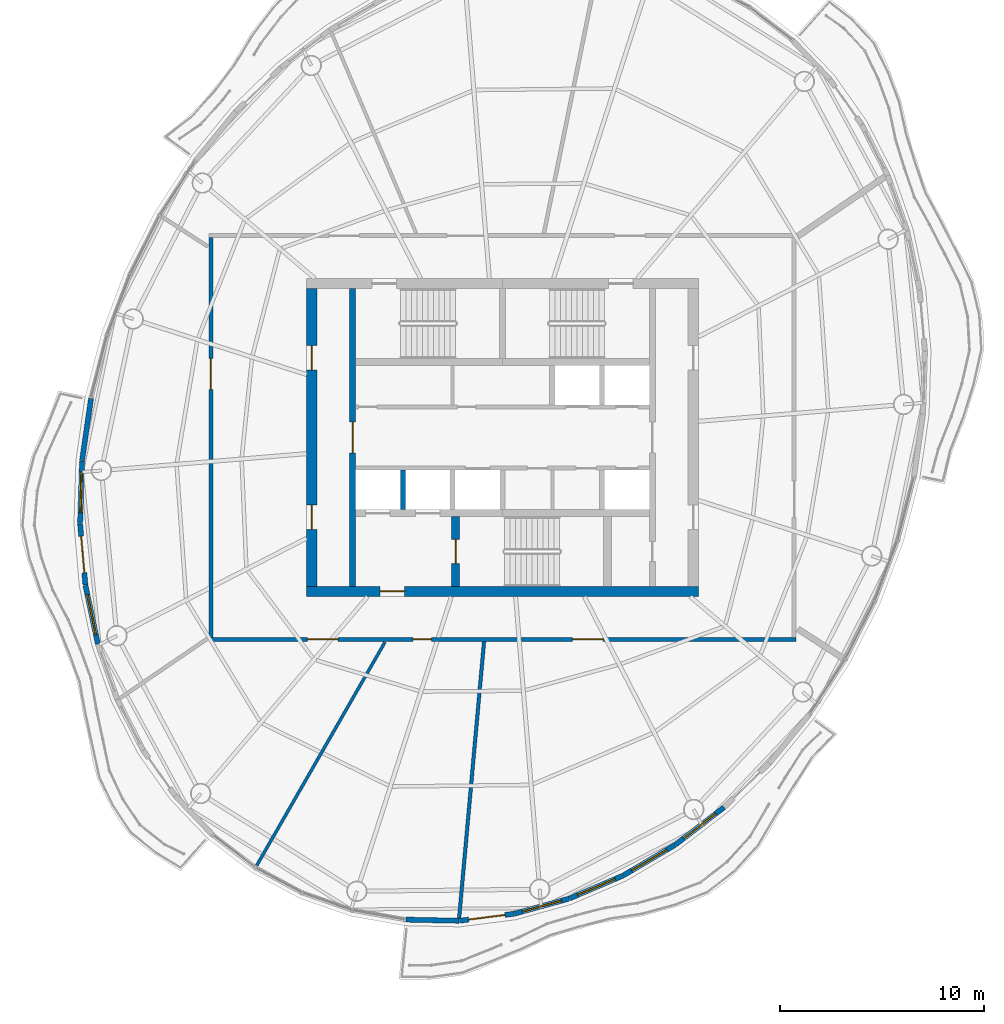
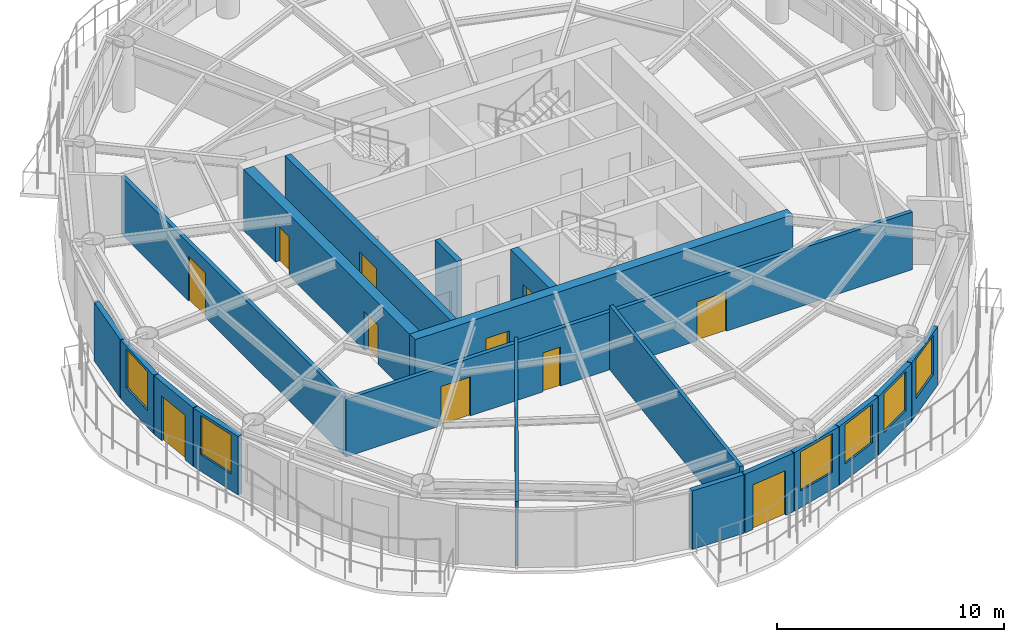
# One storey, part 7 of 13: 19 walls, 11 doors, 6 windows, 17 openings.
"""IFC4 building model written with IfcOpenShell, lengths in metres."""

from ifc_helpers import new_model, si_unit, direction, frame, frame_2d, origin, place, context, subcontext, project, spatial, rectangle, extrude, material, layer, layer_set, type_object, element, fill, save


model = new_model("IFC4")

# Units and contexts
model_context = context("Model", 3, precision=1e-05, world=origin(), true_north=direction((0.0, 1.0)))
body_context = subcontext(model_context, "Body", "Model", "MODEL_VIEW")
ifc_project = project(units=[si_unit("LENGTHUNIT", "METRE"), si_unit("AREAUNIT", "SQUARE_METRE"), si_unit("VOLUMEUNIT", "CUBIC_METRE"), si_unit("PLANEANGLEUNIT", "RADIAN"), si_unit("MASSUNIT", "GRAM", prefix="KILO")], contexts=[model_context])

# Site, building, storey
site_placement = place(None, origin())
site = spatial("IfcSite", under=ifc_project, at=site_placement, CompositionType="ELEMENT")
building_placement = place(site_placement, origin())
building = spatial("IfcBuilding", under=site, at=building_placement, Name="Vermilion Reach Broadcast Tower", CompositionType="ELEMENT")
storey_placement = place(building_placement, frame((0.0, 0.0, 297.300048828125)))
storey = spatial("IfcBuildingStorey", under=building, at=storey_placement, Name="L74", CompositionType="ELEMENT", Elevation=297.300048828125)

# Wall, opening, door
ifc_material_1 = material(Name="Concrete C50", Category="concrete")
ifc_layer_1 = layer(ifc_material_1, 0.300048828125)
ifc_layer_set_1 = layer_set([ifc_layer_1], Name="Core inner wall 300 mm Concrete C50")
wall_type_1 = type_object("IfcWallType", Name="Core inner wall 300 mm Concrete C50", PredefinedType="SHEAR", material=ifc_layer_set_1)
wall_1_placement = place(storey_placement, frame((-13.35009765625, 7.300048828125, 0.0), z_axis=(0.0, 0.0, 1.0), x_axis=(0.0, -1.0, 0.0)))
wall_1 = element("IfcWall", 1, at=wall_1_placement, inside=storey, type_object=wall_type_1, Name="L74 core wall ewW", PredefinedType="SHEAR", context=body_context, shape_type="SweptSolid", body=[
    extrude(rectangle(XDim=14.60009765625, YDim=0.300048828125, at=frame_2d((7.300048828125, 0.0))), origin(), (0.0, 0.0, 1.0), 3.300048828125),
])
opening_1_placement = place(wall_1_placement, frame((6.550048828125, 0.0, 0.0)))
opening_1 = element("IfcOpeningElement", 2, at=opening_1_placement, cuts=wall_1, Name="Opening D04", PredefinedType="OPENING", context=body_context, shape_type="SweptSolid", body=[
    extrude(rectangle(XDim=1.5, YDim=2.10009765625, at=frame_2d((0.75, 1.050048828125))), frame((0.0, 0.159912109375, 0.0), z_axis=(0.0, -1.0, 0.0), x_axis=(1.0, 0.0, 0.0)), (0.0, 0.0, 1.0), 0.320068359375),
])
ifc_material_2 = material(Name="Painted steel fire door", Category="steel")
door_type_1 = type_object("IfcDoorType", Name="Lift lobby door 1500 x 2100", OperationType="DOUBLE_DOOR_SINGLE_SWING", PredefinedType="NOTDEFINED", material=ifc_material_2)
door_1_placement = place(opening_1_placement, origin())
door_1 = element("IfcDoor", 3, at=door_1_placement, inside=storey, type_object=door_type_1, Name="L74 band door BW", OperationType="DOUBLE_DOOR_SINGLE_SWING", OverallHeight=2.10009765625, OverallWidth=1.5, PredefinedType="NOTDEFINED", context=body_context, shape_type="SweptSolid", body=[
    extrude(rectangle(XDim=1.5, YDim=2.10009765625, at=frame_2d((0.75, 1.050048828125))), frame((0.0, 0.02490234375, 0.0), z_axis=(0.0, -1.0, 0.0), x_axis=(1.0, 0.0, 0.0)), (0.0, 0.0, 1.0), 0.050048828125),
])
fill(opening_1, door_1)

ifc_material_3 = material(Name="Concrete C50", Category="concrete")
ifc_layer_2 = layer(ifc_material_3, 0.39990234375)
ifc_layer_set_2 = layer_set([ifc_layer_2], Name="Core inner wall 400 mm Concrete C50")
wall_type_2 = type_object("IfcWallType", Name="Core inner wall 400 mm Concrete C50", PredefinedType="SHEAR", material=ifc_layer_set_2)
wall_2_placement = place(storey_placement, frame((-8.300048828125, -3.8798828125, 0.0), z_axis=(0.0, 0.0, 1.0), x_axis=(0.0, -1.0, 0.0)))
wall_2 = element("IfcWall", 4, at=wall_2_placement, inside=storey, type_object=wall_type_2, Name="L74 core wall wa", PredefinedType="SHEAR", context=body_context, shape_type="SweptSolid", body=[
    extrude(rectangle(XDim=3.420166015625, YDim=0.39990234375, at=frame_2d((1.7099609375, 0.0))), origin(), (0.0, 0.0, 1.0), 3.300048828125),
])
opening_2_placement = place(wall_2_placement, frame((1.110107421875, 0.0, 0.0)))
opening_2 = element("IfcOpeningElement", 5, at=opening_2_placement, cuts=wall_2, Name="Opening D01", PredefinedType="OPENING", context=body_context, shape_type="SweptSolid", body=[
    extrude(rectangle(XDim=1.199951171875, YDim=2.10009765625, at=frame_2d((0.60009765625, 1.050048828125))), frame((0.0, 0.2099609375, 0.0), z_axis=(0.0, -1.0, 0.0), x_axis=(1.0, 0.0, 0.0)), (0.0, 0.0, 1.0), 0.419921875),
])
ifc_material_4 = material(Name="Painted steel fire door", Category="steel")
door_type_2 = type_object("IfcDoorType", Name="Stair door 1200 x 2100", OperationType="DOUBLE_DOOR_SINGLE_SWING", PredefinedType="NOTDEFINED", material=ifc_material_4)
door_2_placement = place(opening_2_placement, origin())
door_2 = element("IfcDoor", 6, at=door_2_placement, inside=storey, type_object=door_type_2, Name="L74 stair door ST3", OperationType="DOUBLE_DOOR_SINGLE_SWING", OverallHeight=2.10009765625, OverallWidth=1.199951171875, PredefinedType="NOTDEFINED", context=body_context, shape_type="SweptSolid", body=[
    extrude(rectangle(XDim=1.199951171875, YDim=2.10009765625, at=frame_2d((0.60009765625, 1.050048828125))), frame((0.0, 0.02490234375, 0.0), z_axis=(0.0, -1.0, 0.0), x_axis=(1.0, 0.0, 0.0)), (0.0, 0.0, 1.0), 0.050048828125),
])
fill(opening_2, door_2)

ifc_material_5 = material(Name="Concrete C50", Category="concrete")
ifc_layer_3 = layer(ifc_material_5, 0.5)
ifc_layer_set_3 = layer_set([ifc_layer_3], Name="Core outer wall 500 mm Concrete C50")
wall_type_3 = type_object("IfcWallType", Name="Core outer wall 500 mm Concrete C50", PredefinedType="SHEAR", material=ifc_layer_set_3)
wall_3_placement = place(storey_placement, frame((-15.60009765625, -7.550048828125, 0.0), z_axis=(0.0, 0.0, 1.0), x_axis=(1.0, 0.0, 0.0)))
wall_3 = element("IfcWall", 7, at=wall_3_placement, inside=storey, type_object=wall_type_3, Name="L74 core wall os", PredefinedType="SHEAR", context=body_context, shape_type="SweptSolid", body=[
    extrude(rectangle(XDim=19.2001953125, YDim=0.5, at=frame_2d((9.60009765625, 0.0))), origin(), (0.0, 0.0, 1.0), 3.300048828125),
])
opening_3_placement = place(wall_3_placement, frame((3.60009765625, 0.0, 0.0)))
opening_3 = element("IfcOpeningElement", 8, at=opening_3_placement, cuts=wall_3, Name="Opening D02", PredefinedType="OPENING", context=body_context, shape_type="SweptSolid", body=[
    extrude(rectangle(XDim=1.199951171875, YDim=2.10009765625, at=frame_2d((0.60009765625, 1.050048828125))), frame((0.0, 0.260009765625, 0.0), z_axis=(0.0, -1.0, 0.0), x_axis=(1.0, 0.0, 0.0)), (0.0, 0.0, 1.0), 0.52001953125),
])
ifc_material_6 = material(Name="Painted steel fire door", Category="steel")
door_type_3 = type_object("IfcDoorType", Name="Firefighting lobby door 1200 x 2100", OperationType="DOUBLE_DOOR_SINGLE_SWING", PredefinedType="NOTDEFINED", material=ifc_material_6)
door_3_placement = place(opening_3_placement, origin())
door_3 = element("IfcDoor", 9, at=door_3_placement, inside=storey, type_object=door_type_3, Name="L74 ffdoor door FFL", OperationType="DOUBLE_DOOR_SINGLE_SWING", OverallHeight=2.10009765625, OverallWidth=1.199951171875, PredefinedType="NOTDEFINED", context=body_context, shape_type="SweptSolid", body=[
    extrude(rectangle(XDim=1.199951171875, YDim=2.10009765625, at=frame_2d((0.60009765625, 1.050048828125))), frame((0.0, 0.02490234375, 0.0), z_axis=(0.0, -1.0, 0.0), x_axis=(1.0, 0.0, 0.0)), (0.0, 0.0, 1.0), 0.050048828125),
])
fill(opening_3, door_3)

# Wall, openings, doors
wall_4_placement = place(storey_placement, frame((-15.35009765625, 7.300048828125, 0.0), z_axis=(0.0, 0.0, 1.0), x_axis=(0.0, -1.0, 0.0)))
wall_4 = element("IfcWall", 10, at=wall_4_placement, inside=storey, type_object=wall_type_3, Name="L74 core wall ow", PredefinedType="SHEAR", context=body_context, shape_type="SweptSolid", body=[
    extrude(rectangle(XDim=14.60009765625, YDim=0.5, at=frame_2d((7.300048828125, 0.0))), origin(), (0.0, 0.0, 1.0), 3.300048828125),
])
opening_4_placement = place(wall_4_placement, frame((10.60009765625, 0.0, 0.0)))
opening_4 = element("IfcOpeningElement", 11, at=opening_4_placement, cuts=wall_4, Name="Opening D03", PredefinedType="OPENING", context=body_context, shape_type="SweptSolid", body=[
    extrude(rectangle(XDim=1.199951171875, YDim=2.10009765625, at=frame_2d((0.60009765625, 1.050048828125))), frame((0.0, 0.260009765625, 0.0), z_axis=(0.0, -1.0, 0.0), x_axis=(1.0, 0.0, 0.0)), (0.0, 0.0, 1.0), 0.52001953125),
])
opening_5_placement = place(wall_4_placement, frame((2.800048828125, 0.0, 0.0)))
opening_5 = element("IfcOpeningElement", 12, at=opening_5_placement, cuts=wall_4, Name="Opening D03", PredefinedType="OPENING", context=body_context, shape_type="SweptSolid", body=[
    extrude(rectangle(XDim=1.199951171875, YDim=2.10009765625, at=frame_2d((0.60009765625, 1.050048828125))), frame((0.0, 0.260009765625, 0.0), z_axis=(0.0, -1.0, 0.0), x_axis=(1.0, 0.0, 0.0)), (0.0, 0.0, 1.0), 0.52001953125),
])
ifc_material_7 = material(Name="Painted steel fire door", Category="steel")
door_type_4 = type_object("IfcDoorType", Name="Core lobby door 1200 x 2100", OperationType="DOUBLE_DOOR_SINGLE_SWING", PredefinedType="NOTDEFINED", material=ifc_material_7)
door_4_placement = place(opening_4_placement, origin())
door_4 = element("IfcDoor", 13, at=door_4_placement, inside=storey, type_object=door_type_4, Name="L74 slot door W0", OperationType="DOUBLE_DOOR_SINGLE_SWING", OverallHeight=2.10009765625, OverallWidth=1.199951171875, PredefinedType="NOTDEFINED", context=body_context, shape_type="SweptSolid", body=[
    extrude(rectangle(XDim=1.199951171875, YDim=2.10009765625, at=frame_2d((0.60009765625, 1.050048828125))), frame((0.0, 0.02490234375, 0.0), z_axis=(0.0, -1.0, 0.0), x_axis=(1.0, 0.0, 0.0)), (0.0, 0.0, 1.0), 0.050048828125),
])
fill(opening_4, door_4)
door_5_placement = place(opening_5_placement, origin())
door_5 = element("IfcDoor", 14, at=door_5_placement, inside=storey, type_object=door_type_4, Name="L74 slot door W1", OperationType="DOUBLE_DOOR_SINGLE_SWING", OverallHeight=2.10009765625, OverallWidth=1.199951171875, PredefinedType="NOTDEFINED", context=body_context, shape_type="SweptSolid", body=[
    extrude(rectangle(XDim=1.199951171875, YDim=2.10009765625, at=frame_2d((0.60009765625, 1.050048828125))), frame((0.0, 0.02490234375, 0.0), z_axis=(0.0, -1.0, 0.0), x_axis=(1.0, 0.0, 0.0)), (0.0, 0.0, 1.0), 0.050048828125),
])
fill(opening_5, door_5)

# Walls
ifc_material_8 = material(Name="Concrete C50", Category="concrete")
ifc_layer_4 = layer(ifc_material_8, 0.25)
ifc_layer_set_4 = layer_set([ifc_layer_4], Name="Core shaft wall 250 mm Concrete C50")
wall_type_4 = type_object("IfcWallType", Name="Core shaft wall 250 mm Concrete C50", PredefinedType="SHEAR", material=ifc_layer_set_4)
wall_5_placement = place(storey_placement, frame((-10.88330078125, -1.60009765625, 0.0), z_axis=(0.0, 0.0, 1.0), x_axis=(0.0, -1.0, 0.0)))
element("IfcWall", 15, at=wall_5_placement, inside=storey, type_object=wall_type_4, Name="L74 core wall psS0", PredefinedType="SHEAR", context=body_context, shape_type="SweptSolid", body=[
    extrude(rectangle(XDim=1.929931640625, YDim=0.25, at=frame_2d((0.96484375, 0.0))), origin(), (0.0, 0.0, 1.0), 3.300048828125),
])
ifc_material_9 = material(Name="Lightweight concrete block, plastered", Category="concrete")
ifc_layer_5 = layer(ifc_material_9, 0.14990234375)
ifc_layer_set_5 = layer_set([ifc_layer_5], Name="Partition 150 lightweight block")
wall_type_5 = type_object("IfcWallType", Name="Partition 150 lightweight block", PredefinedType="PARTITIONING", material=ifc_layer_set_5)
wall_6_placement = place(storey_placement, frame((-18.048095703125, -20.981689453125, 0.0), z_axis=(0.0, 0.0, 1.0), x_axis=(0.497960743115, 0.867199572369, 0.0)))
element("IfcWall", 16, at=wall_6_placement, inside=storey, type_object=wall_type_5, Name="Partition 74.05", PredefinedType="PARTITIONING", context=body_context, shape_type="SweptSolid", body=[
    extrude(rectangle(XDim=12.620361328125, YDim=0.14990234375, at=frame_2d((6.31005859375, 0.0))), origin(), (0.0, 0.0, 1.0), 3.449951171875),
])
ifc_material_10 = material(Name="Fire-rated block, plastered")
ifc_layer_6 = layer(ifc_material_10, 0.175048828125)
ifc_layer_set_6 = layer_set([ifc_layer_6], Name="Partition 175 fire-rated block")
wall_type_6 = type_object("IfcWallType", Name="Partition 175 fire-rated block", PredefinedType="PARTITIONING", material=ifc_layer_set_6)
wall_7_placement = place(storey_placement, frame((-8.126708984375, -23.570556640625, 0.0), z_axis=(0.0, 0.0, 1.0), x_axis=(0.08985519521, 0.995954840288, 0.0)))
element("IfcWall", 17, at=wall_7_placement, inside=storey, type_object=wall_type_6, Name="Partition 74.06", PredefinedType="PARTITIONING", context=body_context, shape_type="SweptSolid", body=[
    extrude(rectangle(XDim=13.617919921875, YDim=0.175048828125, at=frame_2d((6.80908203125, 0.0))), origin(), (0.0, 0.0, 1.0), 3.449951171875),
])
ifc_material_11 = material(Name="Terracotta rainscreen cladding", Category="masonry")
ifc_layer_7 = layer(ifc_material_11, 0.25)
ifc_layer_set_7 = layer_set([ifc_layer_7], Name="Terracotta rainscreen wall 250")
wall_type_7 = type_object("IfcWallType", Name="Terracotta rainscreen wall 250", PredefinedType="SOLIDWALL", material=ifc_layer_set_7)
wall_8_placement = place(storey_placement, frame((-26.17333984375, 1.91162109375, 0.0), z_axis=(0.0, 0.0, 1.0), x_axis=(-0.142921873415, -0.989733973399, 0.0)))
element("IfcWall", 18, at=wall_8_placement, inside=storey, type_object=wall_type_7, Name="External wall L74 14", PredefinedType="SOLIDWALL", context=body_context, shape_type="SweptSolid", body=[
    extrude(rectangle(XDim=3.07470703125, YDim=0.25, at=frame_2d((1.537353515625, 0.0))), origin(), (0.0, 0.0, 1.0), 3.14990234375),
])

# Wall, opening, window
wall_9_placement = place(storey_placement, frame((-26.614501953125, -1.153564453125, 0.0), z_axis=(0.0, 0.0, 1.0), x_axis=(-0.030643350627, -0.999530382261, 0.0)))
wall_9 = element("IfcWall", 19, at=wall_9_placement, inside=storey, type_object=wall_type_7, Name="External wall L74 15", PredefinedType="SOLIDWALL", context=body_context, shape_type="SweptSolid", body=[
    extrude(rectangle(XDim=3.0673828125, YDim=0.25, at=frame_2d((1.53369140625, 0.0))), origin(), (0.0, 0.0, 1.0), 3.14990234375),
])
opening_6_placement = place(wall_9_placement, frame((0.53369140625, 0.0, 0.89990234375)))
opening_6 = element("IfcOpeningElement", 20, at=opening_6_placement, cuts=wall_9, Name="Opening W03", PredefinedType="OPENING", context=body_context, shape_type="SweptSolid", body=[
    extrude(rectangle(XDim=2.0, YDim=2.10009765625, at=frame_2d((1.0, 1.050048828125))), frame((0.0, 0.135009765625, 0.0), z_axis=(0.0, -1.0, 0.0), x_axis=(1.0, 0.0, 0.0)), (0.0, 0.0, 1.0), 0.27001953125),
])
ifc_material_12 = material(Name="Low-e laminated clear glass in aluminium frame", Category="aluminium")
window_type = type_object("IfcWindowType", Name="Punched window 2000 x 2100 sill 900", PartitioningType="SINGLE_PANEL", PredefinedType="WINDOW", material=ifc_material_12)
window_1_placement = place(opening_6_placement, origin())
window_1 = element("IfcWindow", 21, at=window_1_placement, inside=storey, type_object=window_type, Name="Window L74 15", OverallHeight=2.10009765625, OverallWidth=2.0, PartitioningType="SINGLE_PANEL", PredefinedType="WINDOW", context=body_context, shape_type="SweptSolid", body=[
    extrude(rectangle(XDim=2.0, YDim=2.10009765625, at=frame_2d((1.0, 1.050048828125))), frame((0.0, 0.030029296875, 0.0), z_axis=(0.0, -1.0, 0.0), x_axis=(1.0, 0.0, 0.0)), (0.0, 0.0, 1.0), 0.06005859375),
])
fill(opening_6, window_1)

# Wall, opening, door
wall_10_placement = place(storey_placement, frame((-26.7080078125, -4.241943359375, 0.0), z_axis=(0.0, 0.0, 1.0), x_axis=(0.086187518859, -0.996278932625, 0.0)))
wall_10 = element("IfcWall", 22, at=wall_10_placement, inside=storey, type_object=wall_type_7, Name="External wall L74 16", PredefinedType="SOLIDWALL", context=body_context, shape_type="SweptSolid", body=[
    extrude(rectangle(XDim=3.002685546875, YDim=0.25, at=frame_2d((1.50146484375, 0.0))), origin(), (0.0, 0.0, 1.0), 3.14990234375),
])
opening_7_placement = place(wall_10_placement, frame((0.60107421875, 0.0, 0.0)))
opening_7 = element("IfcOpeningElement", 23, at=opening_7_placement, cuts=wall_10, Name="Opening D70", PredefinedType="OPENING", context=body_context, shape_type="SweptSolid", body=[
    extrude(rectangle(XDim=1.800048828125, YDim=2.39990234375, at=frame_2d((0.89990234375, 1.199951171875))), frame((0.0, 0.135009765625, 0.0), z_axis=(0.0, -1.0, 0.0), x_axis=(1.0, 0.0, 0.0)), (0.0, 0.0, 1.0), 0.27001953125),
])
ifc_material_13 = material(Name="Low-e laminated clear glass in aluminium frame", Category="aluminium")
door_type_5 = type_object("IfcDoorType", Name="Balcony sliding door 1800 x 2400", OperationType="DOUBLE_DOOR_SLIDING", PredefinedType="DOOR", material=ifc_material_13)
door_6_placement = place(opening_7_placement, origin())
door_6 = element("IfcDoor", 24, at=door_6_placement, inside=storey, type_object=door_type_5, Name="Balcony door L74 run 04", OperationType="DOUBLE_DOOR_SLIDING", OverallHeight=2.39990234375, OverallWidth=1.800048828125, PredefinedType="DOOR", context=body_context, shape_type="SweptSolid", body=[
    extrude(rectangle(XDim=1.800048828125, YDim=2.39990234375, at=frame_2d((0.89990234375, 1.199951171875))), frame((0.0, 0.02490234375, 0.0), z_axis=(0.0, -1.0, 0.0), x_axis=(1.0, 0.0, 0.0)), (0.0, 0.0, 1.0), 0.050048828125),
])
fill(opening_7, door_6)

# Wall, opening, window
wall_11_placement = place(storey_placement, frame((-26.44580078125, -7.25634765625, 0.0), z_axis=(0.0, 0.0, 1.0), x_axis=(0.206909487165, -0.978360089191, 0.0)))
wall_11 = element("IfcWall", 25, at=wall_11_placement, inside=storey, type_object=wall_type_7, Name="External wall L74 17", PredefinedType="SOLIDWALL", context=body_context, shape_type="SweptSolid", body=[
    extrude(rectangle(XDim=2.9287109375, YDim=0.25, at=frame_2d((1.46435546875, 0.0))), origin(), (0.0, 0.0, 1.0), 3.14990234375),
])
opening_8_placement = place(wall_11_placement, frame((0.46435546875, 0.0, 0.89990234375)))
opening_8 = element("IfcOpeningElement", 26, at=opening_8_placement, cuts=wall_11, Name="Opening W03", PredefinedType="OPENING", context=body_context, shape_type="SweptSolid", body=[
    extrude(rectangle(XDim=2.0, YDim=2.10009765625, at=frame_2d((1.0, 1.050048828125))), frame((0.0, 0.135009765625, 0.0), z_axis=(0.0, -1.0, 0.0), x_axis=(1.0, 0.0, 0.0)), (0.0, 0.0, 1.0), 0.27001953125),
])
window_2_placement = place(opening_8_placement, origin())
window_2 = element("IfcWindow", 27, at=window_2_placement, inside=storey, type_object=window_type, Name="Window L74 17", OverallHeight=2.10009765625, OverallWidth=2.0, PartitioningType="SINGLE_PANEL", PredefinedType="WINDOW", context=body_context, shape_type="SweptSolid", body=[
    extrude(rectangle(XDim=2.0, YDim=2.10009765625, at=frame_2d((1.0, 1.050048828125))), frame((0.0, 0.030029296875, 0.0), z_axis=(0.0, -1.0, 0.0), x_axis=(1.0, 0.0, 0.0)), (0.0, 0.0, 1.0), 0.06005859375),
])
fill(opening_8, window_2)

# Wall
wall_12_placement = place(storey_placement, frame((-10.731201171875, -23.63818359375, 0.0), z_axis=(0.0, 0.0, 1.0), x_axis=(0.999760314133, -0.021893247481, 0.0)))
element("IfcWall", 28, at=wall_12_placement, inside=storey, type_object=wall_type_7, Name="External wall L74 26", PredefinedType="SOLIDWALL", context=body_context, shape_type="SweptSolid", body=[
    extrude(rectangle(XDim=2.598388671875, YDim=0.25, at=frame_2d((1.29931640625, 0.0))), origin(), (0.0, 0.0, 1.0), 3.14990234375),
])

# Wall, opening, door
wall_13_placement = place(storey_placement, frame((-8.10693359375, -23.69384765625, 0.0), z_axis=(0.0, 0.0, 1.0), x_axis=(0.991933339644, 0.126760599962, 0.0)))
wall_13 = element("IfcWall", 29, at=wall_13_placement, inside=storey, type_object=wall_type_7, Name="External wall L74 27", PredefinedType="SOLIDWALL", context=body_context, shape_type="SweptSolid", body=[
    extrude(rectangle(XDim=2.7001953125, YDim=0.25, at=frame_2d((1.35009765625, 0.0))), origin(), (0.0, 0.0, 1.0), 3.14990234375),
])
opening_9_placement = place(wall_13_placement, frame((0.449951171875, 0.0, 0.0)))
opening_9 = element("IfcOpeningElement", 30, at=opening_9_placement, cuts=wall_13, Name="Opening D70", PredefinedType="OPENING", context=body_context, shape_type="SweptSolid", body=[
    extrude(rectangle(XDim=1.800048828125, YDim=2.39990234375, at=frame_2d((0.89990234375, 1.199951171875))), frame((0.0, 0.135009765625, 0.0), z_axis=(0.0, -1.0, 0.0), x_axis=(1.0, 0.0, 0.0)), (0.0, 0.0, 1.0), 0.27001953125),
])
door_7_placement = place(opening_9_placement, origin())
door_7 = element("IfcDoor", 31, at=door_7_placement, inside=storey, type_object=door_type_5, Name="Balcony door L74 run 07", OperationType="DOUBLE_DOOR_SLIDING", OverallHeight=2.39990234375, OverallWidth=1.800048828125, PredefinedType="DOOR", context=body_context, shape_type="SweptSolid", body=[
    extrude(rectangle(XDim=1.800048828125, YDim=2.39990234375, at=frame_2d((0.89990234375, 1.199951171875))), frame((0.0, 0.02490234375, 0.0), z_axis=(0.0, -1.0, 0.0), x_axis=(1.0, 0.0, 0.0)), (0.0, 0.0, 1.0), 0.050048828125),
])
fill(opening_9, door_7)

# Wall, opening, window
wall_14_placement = place(storey_placement, frame((-5.4033203125, -23.346435546875, 0.0), z_axis=(0.0, 0.0, 1.0), x_axis=(0.963931868204, 0.266149118841, 0.0)))
wall_14 = element("IfcWall", 32, at=wall_14_placement, inside=storey, type_object=wall_type_7, Name="External wall L74 28", PredefinedType="SOLIDWALL", context=body_context, shape_type="SweptSolid", body=[
    extrude(rectangle(XDim=2.772216796875, YDim=0.25, at=frame_2d((1.38623046875, 0.0))), origin(), (0.0, 0.0, 1.0), 3.14990234375),
])
opening_10_placement = place(wall_14_placement, frame((0.385986328125, 0.0, 0.89990234375)))
opening_10 = element("IfcOpeningElement", 33, at=opening_10_placement, cuts=wall_14, Name="Opening W03", PredefinedType="OPENING", context=body_context, shape_type="SweptSolid", body=[
    extrude(rectangle(XDim=2.0, YDim=2.10009765625, at=frame_2d((1.0, 1.050048828125))), frame((0.0, 0.135009765625, 0.0), z_axis=(0.0, -1.0, 0.0), x_axis=(1.0, 0.0, 0.0)), (0.0, 0.0, 1.0), 0.27001953125),
])
window_3_placement = place(opening_10_placement, origin())
window_3 = element("IfcWindow", 34, at=window_3_placement, inside=storey, type_object=window_type, Name="Window L74 28", OverallHeight=2.10009765625, OverallWidth=2.0, PartitioningType="SINGLE_PANEL", PredefinedType="WINDOW", context=body_context, shape_type="SweptSolid", body=[
    extrude(rectangle(XDim=2.0, YDim=2.10009765625, at=frame_2d((1.0, 1.050048828125))), frame((0.0, 0.030029296875, 0.0), z_axis=(0.0, -1.0, 0.0), x_axis=(1.0, 0.0, 0.0)), (0.0, 0.0, 1.0), 0.06005859375),
])
fill(opening_10, window_3)

wall_15_placement = place(storey_placement, frame((-2.707763671875, -22.6005859375, 0.0), z_axis=(0.0, 0.0, 1.0), x_axis=(0.919251327093, 0.393671179586, 0.0)))
wall_15 = element("IfcWall", 35, at=wall_15_placement, inside=storey, type_object=wall_type_7, Name="External wall L74 29", PredefinedType="SOLIDWALL", context=body_context, shape_type="SweptSolid", body=[
    extrude(rectangle(XDim=2.850341796875, YDim=0.25, at=frame_2d((1.42529296875, 0.0))), origin(), (0.0, 0.0, 1.0), 3.14990234375),
])
opening_11_placement = place(wall_15_placement, frame((0.425048828125, 0.0, 0.89990234375)))
opening_11 = element("IfcOpeningElement", 36, at=opening_11_placement, cuts=wall_15, Name="Opening W03", PredefinedType="OPENING", context=body_context, shape_type="SweptSolid", body=[
    extrude(rectangle(XDim=2.0, YDim=2.10009765625, at=frame_2d((1.0, 1.050048828125))), frame((0.0, 0.135009765625, 0.0), z_axis=(0.0, -1.0, 0.0), x_axis=(1.0, 0.0, 0.0)), (0.0, 0.0, 1.0), 0.27001953125),
])
window_4_placement = place(opening_11_placement, origin())
window_4 = element("IfcWindow", 37, at=window_4_placement, inside=storey, type_object=window_type, Name="Window L74 29", OverallHeight=2.10009765625, OverallWidth=2.0, PartitioningType="SINGLE_PANEL", PredefinedType="WINDOW", context=body_context, shape_type="SweptSolid", body=[
    extrude(rectangle(XDim=2.0, YDim=2.10009765625, at=frame_2d((1.0, 1.050048828125))), frame((0.0, 0.030029296875, 0.0), z_axis=(0.0, -1.0, 0.0), x_axis=(1.0, 0.0, 0.0)), (0.0, 0.0, 1.0), 0.06005859375),
])
fill(opening_11, window_4)

wall_16_placement = place(storey_placement, frame((-0.066162109375, -21.4677734375, 0.0), z_axis=(0.0, 0.0, 1.0), x_axis=(0.861243352176, 0.508192766902, 0.0)))
wall_16 = element("IfcWall", 38, at=wall_16_placement, inside=storey, type_object=wall_type_7, Name="External wall L74 30", PredefinedType="SOLIDWALL", context=body_context, shape_type="SweptSolid", body=[
    extrude(rectangle(XDim=2.928466796875, YDim=0.25, at=frame_2d((1.46435546875, 0.0))), origin(), (0.0, 0.0, 1.0), 3.14990234375),
])
opening_12_placement = place(wall_16_placement, frame((0.46435546875, 0.0, 0.89990234375)))
opening_12 = element("IfcOpeningElement", 39, at=opening_12_placement, cuts=wall_16, Name="Opening W03", PredefinedType="OPENING", context=body_context, shape_type="SweptSolid", body=[
    extrude(rectangle(XDim=2.0, YDim=2.10009765625, at=frame_2d((1.0, 1.050048828125))), frame((0.0, 0.135009765625, 0.0), z_axis=(0.0, -1.0, 0.0), x_axis=(1.0, 0.0, 0.0)), (0.0, 0.0, 1.0), 0.27001953125),
])
window_5_placement = place(opening_12_placement, origin())
window_5 = element("IfcWindow", 40, at=window_5_placement, inside=storey, type_object=window_type, Name="Window L74 30", OverallHeight=2.10009765625, OverallWidth=2.0, PartitioningType="SINGLE_PANEL", PredefinedType="WINDOW", context=body_context, shape_type="SweptSolid", body=[
    extrude(rectangle(XDim=2.0, YDim=2.10009765625, at=frame_2d((1.0, 1.050048828125))), frame((0.0, 0.030029296875, 0.0), z_axis=(0.0, -1.0, 0.0), x_axis=(1.0, 0.0, 0.0)), (0.0, 0.0, 1.0), 0.06005859375),
])
fill(opening_12, window_5)

wall_17_placement = place(storey_placement, frame((2.475341796875, -19.966552734375, 0.0), z_axis=(0.0, 0.0, 1.0), x_axis=(0.792959396459, 0.609274482944, 0.0)))
wall_17 = element("IfcWall", 41, at=wall_17_placement, inside=storey, type_object=wall_type_7, Name="External wall L74 31", PredefinedType="SOLIDWALL", context=body_context, shape_type="SweptSolid", body=[
    extrude(rectangle(XDim=3.00244140625, YDim=0.25, at=frame_2d((1.501220703125, 0.0))), origin(), (0.0, 0.0, 1.0), 3.14990234375),
])
opening_13_placement = place(wall_17_placement, frame((0.501220703125, 0.0, 0.89990234375)))
opening_13 = element("IfcOpeningElement", 42, at=opening_13_placement, cuts=wall_17, Name="Opening W03", PredefinedType="OPENING", context=body_context, shape_type="SweptSolid", body=[
    extrude(rectangle(XDim=2.0, YDim=2.10009765625, at=frame_2d((1.0, 1.050048828125))), frame((0.0, 0.135009765625, 0.0), z_axis=(0.0, -1.0, 0.0), x_axis=(1.0, 0.0, 0.0)), (0.0, 0.0, 1.0), 0.27001953125),
])
window_6_placement = place(opening_13_placement, origin())
window_6 = element("IfcWindow", 43, at=window_6_placement, inside=storey, type_object=window_type, Name="Window L74 31", OverallHeight=2.10009765625, OverallWidth=2.0, PartitioningType="SINGLE_PANEL", PredefinedType="WINDOW", context=body_context, shape_type="SweptSolid", body=[
    extrude(rectangle(XDim=2.0, YDim=2.10009765625, at=frame_2d((1.0, 1.050048828125))), frame((0.0, 0.030029296875, 0.0), z_axis=(0.0, -1.0, 0.0), x_axis=(1.0, 0.0, 0.0)), (0.0, 0.0, 1.0), 0.06005859375),
])
fill(opening_13, window_6)

# Wall, openings, doors
ifc_material_14 = material(Name="Fire-rated gypsum board partition")
ifc_layer_8 = layer(ifc_material_14, 0.199951171875)
ifc_layer_set_8 = layer_set([ifc_layer_8], Name="Under girder: Corridor wall 200 fire-rated")
wall_type_8 = type_object("IfcWallType", Name="Under girder: Corridor wall 200 fire-rated", PredefinedType="PARTITIONING", material=ifc_layer_set_8)
wall_18_placement = place(storey_placement, frame((8.39990234375, -9.89990234375, 0.0), z_axis=(0.0, 0.0, 1.0), x_axis=(-1.0, 0.0, 0.0)))
wall_18 = element("IfcWall", 44, at=wall_18_placement, inside=storey, type_object=wall_type_8, Name="Corridor wall 74.S", PredefinedType="PARTITIONING", context=body_context, shape_type="SweptSolid", body=[
    extrude(rectangle(XDim=28.7998046875, YDim=0.199951171875, at=frame_2d((14.39990234375, 0.0))), origin(), (0.0, 0.0, 1.0), 3.099853515625),
])
opening_14_placement = place(wall_18_placement, frame((22.464599609375, 0.0, 0.0)))
opening_14 = element("IfcOpeningElement", 45, at=opening_14_placement, cuts=wall_18, Name="Opening D24", PredefinedType="OPENING", context=body_context, shape_type="SweptSolid", body=[
    extrude(rectangle(XDim=1.5, YDim=2.10009765625, at=frame_2d((0.75, 1.050048828125))), frame((0.0, 0.10986328125, 0.0), z_axis=(0.0, -1.0, 0.0), x_axis=(1.0, 0.0, 0.0)), (0.0, 0.0, 1.0), 0.219970703125),
])
opening_15_placement = place(wall_18_placement, frame((17.88525390625, 0.0, 0.0)))
opening_15 = element("IfcOpeningElement", 46, at=opening_15_placement, cuts=wall_18, Name="Opening D22", PredefinedType="OPENING", context=body_context, shape_type="SweptSolid", body=[
    extrude(rectangle(XDim=0.89990234375, YDim=2.10009765625, at=frame_2d((0.449951171875, 1.050048828125))), frame((0.0, 0.10986328125, 0.0), z_axis=(0.0, -1.0, 0.0), x_axis=(1.0, 0.0, 0.0)), (0.0, 0.0, 1.0), 0.219970703125),
])
opening_16_placement = place(wall_18_placement, frame((9.461669921875, 0.0, 0.0)))
opening_16 = element("IfcOpeningElement", 47, at=opening_16_placement, cuts=wall_18, Name="Opening D24", PredefinedType="OPENING", context=body_context, shape_type="SweptSolid", body=[
    extrude(rectangle(XDim=1.5, YDim=2.10009765625, at=frame_2d((0.75, 1.050048828125))), frame((0.0, 0.10986328125, 0.0), z_axis=(0.0, -1.0, 0.0), x_axis=(1.0, 0.0, 0.0)), (0.0, 0.0, 1.0), 0.219970703125),
])
ifc_material_15 = material(Name="Timber door leaf", Category="wood")
door_type_6 = type_object("IfcDoorType", Name="Door pair 1500x2100", OperationType="NOTDEFINED", PredefinedType="DOOR", material=ifc_material_15)
door_8_placement = place(opening_14_placement, origin())
door_8 = element("IfcDoor", 48, at=door_8_placement, inside=storey, type_object=door_type_6, Name="Door 74.04", OperationType="DOUBLE_DOOR_SINGLE_SWING", OverallHeight=2.10009765625, OverallWidth=1.5, PredefinedType="DOOR", context=body_context, shape_type="SweptSolid", body=[
    extrude(rectangle(XDim=1.5, YDim=2.10009765625, at=frame_2d((0.75, 1.050048828125))), frame((0.0, 0.02490234375, 0.0), z_axis=(0.0, -1.0, 0.0), x_axis=(1.0, 0.0, 0.0)), (0.0, 0.0, 1.0), 0.050048828125),
])
fill(opening_14, door_8)
door_9_placement = place(opening_16_placement, origin())
door_9 = element("IfcDoor", 49, at=door_9_placement, inside=storey, type_object=door_type_6, Name="Door 74.06", OperationType="DOUBLE_DOOR_SINGLE_SWING", OverallHeight=2.10009765625, OverallWidth=1.5, PredefinedType="DOOR", context=body_context, shape_type="SweptSolid", body=[
    extrude(rectangle(XDim=1.5, YDim=2.10009765625, at=frame_2d((0.75, 1.050048828125))), frame((0.0, 0.02490234375, 0.0), z_axis=(0.0, -1.0, 0.0), x_axis=(1.0, 0.0, 0.0)), (0.0, 0.0, 1.0), 0.050048828125),
])
fill(opening_16, door_9)
ifc_material_16 = material(Name="Timber door leaf", Category="wood")
door_type_7 = type_object("IfcDoorType", Name="Door single 900x2100", OperationType="NOTDEFINED", PredefinedType="DOOR", material=ifc_material_16)
door_10_placement = place(opening_15_placement, origin())
door_10 = element("IfcDoor", 50, at=door_10_placement, inside=storey, type_object=door_type_7, Name="Door 74.05", OperationType="SINGLE_SWING_RIGHT", OverallHeight=2.10009765625, OverallWidth=0.89990234375, PredefinedType="DOOR", context=body_context, shape_type="SweptSolid", body=[
    extrude(rectangle(XDim=0.89990234375, YDim=2.10009765625, at=frame_2d((0.449951171875, 1.050048828125))), frame((0.0, 0.02490234375, 0.0), z_axis=(0.0, -1.0, 0.0), x_axis=(1.0, 0.0, 0.0)), (0.0, 0.0, 1.0), 0.050048828125),
])
fill(opening_15, door_10)

# Wall, opening, door
wall_19_placement = place(storey_placement, frame((-20.300048828125, -9.800048828125, 0.0), z_axis=(0.0, 0.0, 1.0), x_axis=(0.0, 1.0, 0.0)))
wall_19 = element("IfcWall", 51, at=wall_19_placement, inside=storey, type_object=wall_type_8, Name="Corridor wall 74.W", PredefinedType="PARTITIONING", context=body_context, shape_type="SweptSolid", body=[
    extrude(rectangle(XDim=19.60009765625, YDim=0.199951171875, at=frame_2d((9.800048828125, 0.0))), origin(), (0.0, 0.0, 1.0), 3.099853515625),
])
opening_17_placement = place(wall_19_placement, frame((12.16357421875, 0.0, 0.0)))
opening_17 = element("IfcOpeningElement", 52, at=opening_17_placement, cuts=wall_19, Name="Opening D25", PredefinedType="OPENING", context=body_context, shape_type="SweptSolid", body=[
    extrude(rectangle(XDim=1.5, YDim=2.39990234375, at=frame_2d((0.75, 1.199951171875))), frame((0.0, 0.10986328125, 0.0), z_axis=(0.0, -1.0, 0.0), x_axis=(1.0, 0.0, 0.0)), (0.0, 0.0, 1.0), 0.219970703125),
])
ifc_material_17 = material(Name="Glazed timber door leaf", Category="wood")
door_type_8 = type_object("IfcDoorType", Name="Door pair 1500x2400", OperationType="NOTDEFINED", PredefinedType="DOOR", material=ifc_material_17)
door_11_placement = place(opening_17_placement, origin())
door_11 = element("IfcDoor", 53, at=door_11_placement, inside=storey, type_object=door_type_8, Name="Door 74.03", OperationType="DOUBLE_DOOR_SINGLE_SWING", OverallHeight=2.39990234375, OverallWidth=1.5, PredefinedType="DOOR", context=body_context, shape_type="SweptSolid", body=[
    extrude(rectangle(XDim=1.5, YDim=2.39990234375, at=frame_2d((0.75, 1.199951171875))), frame((0.0, 0.02490234375, 0.0), z_axis=(0.0, -1.0, 0.0), x_axis=(1.0, 0.0, 0.0)), (0.0, 0.0, 1.0), 0.050048828125),
])
fill(opening_17, door_11)

save(model, "model.ifc")
